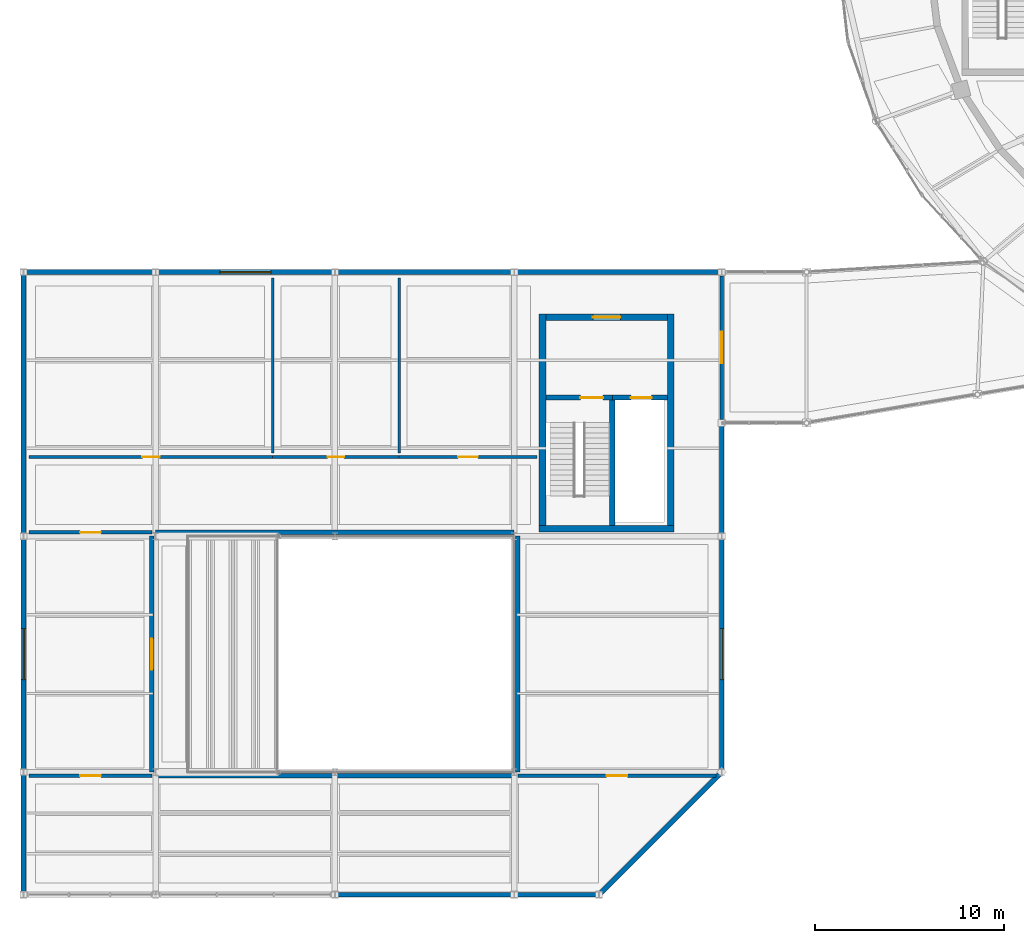
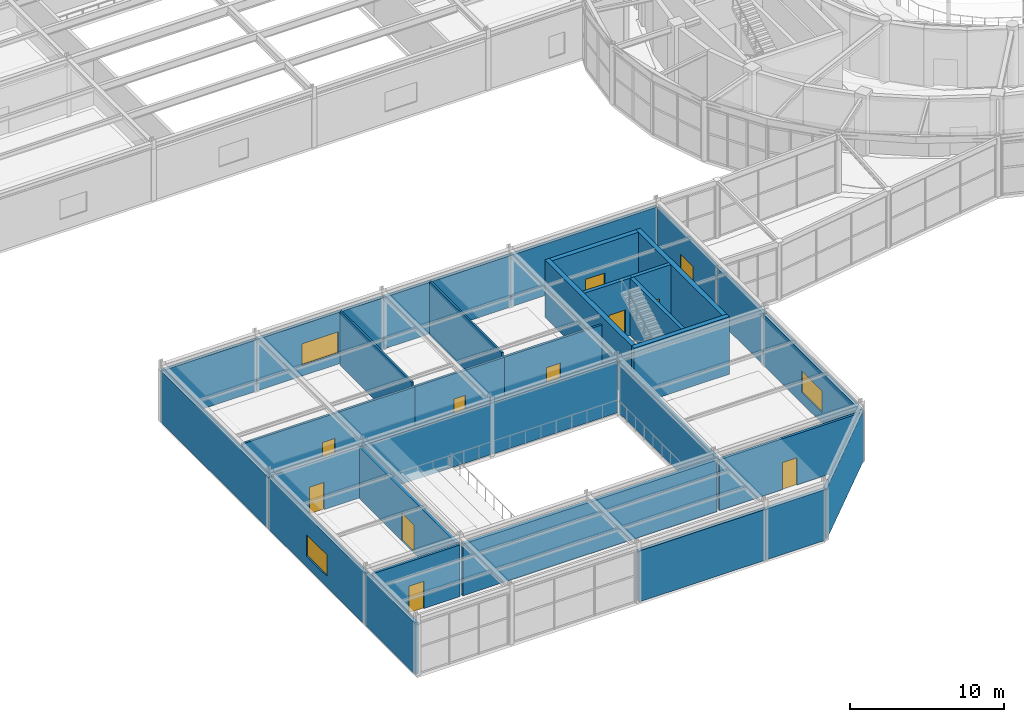
# One storey, part 77 of 100: 32 walls, 11 doors, 3 windows, 14 openings.
"""IFC4 building model written with IfcOpenShell, lengths in metres."""

from ifc_helpers import new_model, si_unit, direction, frame, frame_2d, origin, place, context, subcontext, project, spatial, rectangle, extrude, material, layer, layer_set, type_object, element, fill, save


model = new_model("IFC4")

# Units and contexts
model_context = context("Model", 3, precision=1e-05, world=origin(), true_north=direction((0.0, 1.0)))
body_context = subcontext(model_context, "Body", "Model", "MODEL_VIEW")
ifc_project = project(units=[si_unit("LENGTHUNIT", "METRE"), si_unit("AREAUNIT", "SQUARE_METRE"), si_unit("VOLUMEUNIT", "CUBIC_METRE"), si_unit("PLANEANGLEUNIT", "RADIAN"), si_unit("MASSUNIT", "GRAM", prefix="KILO")], contexts=[model_context])

# Site, building, storey
site_placement = place(None, origin())
site = spatial("IfcSite", under=ifc_project, at=site_placement, CompositionType="ELEMENT")
building_placement = place(site_placement, origin())
building = spatial("IfcBuilding", under=site, at=building_placement, Name="Tarnveldt Headland Concert Hall", CompositionType="ELEMENT")
storey_placement = place(building_placement, frame((0.0, 0.0, 4.800048828125)))
storey = spatial("IfcBuildingStorey", under=building, at=storey_placement, Name="L01", CompositionType="ELEMENT", Elevation=4.800048828125)

# Wall
ifc_material_1 = material(Name="Concrete C40/50", Category="concrete")
ifc_layer_1 = layer(ifc_material_1, 0.35009765625, Name="Concrete C40/50", Category="concrete")
ifc_layer_set_1 = layer_set([ifc_layer_1], Name="Concrete C40/50")
wall_type_1 = type_object("IfcWallType", Name="WL-CR350", PredefinedType="SHEAR", material=ifc_layer_set_1)
wall_1_placement = place(storey_placement, frame((34.824951171875, 24.39990234375, 0.0), z_axis=(0.0, 0.0, 1.0), x_axis=(1.0, 0.0, 0.0)))
element("IfcWall", 1, at=wall_1_placement, inside=storey, type_object=wall_type_1, Name="Core C5 south shear wall L01", PredefinedType="SHEAR", context=body_context, shape_type="SweptSolid", body=[
    extrude(rectangle(XDim=7.150146484375, YDim=0.35009765625, at=frame_2d((3.5751953125, 0.0))), origin(), (0.0, 0.0, 1.0), 4.5400390625),
])

# Wall, opening, door
wall_2_placement = place(storey_placement, frame((35.175048828125, 35.60009765625, 0.0), z_axis=(0.0, 0.0, 1.0), x_axis=(1.0, 0.0, 0.0)))
wall_2 = element("IfcWall", 2, at=wall_2_placement, inside=storey, type_object=wall_type_1, Name="Core C5 north shear wall L01", PredefinedType="SHEAR", context=body_context, shape_type="SweptSolid", body=[
    extrude(rectangle(XDim=6.449951171875, YDim=0.35009765625, at=frame_2d((3.22509765625, 0.0))), origin(), (0.0, 0.0, 1.0), 4.5400390625),
])
opening_1_placement = place(wall_2_placement, frame((2.5, 0.0, 0.0)))
opening_1 = element("IfcOpeningElement", 3, at=opening_1_placement, cuts=wall_2, Name="Opening LBD-C5-L01", PredefinedType="OPENING", context=body_context, shape_type="SweptSolid", body=[
    extrude(rectangle(XDim=1.449951171875, YDim=2.199951171875, at=frame_2d((0.72509765625, 1.10009765625))), frame((0.0, 0.18505859375, 0.0), z_axis=(0.0, -1.0, 0.0), x_axis=(1.0, 0.0, 0.0)), (0.0, 0.0, 1.0), 0.3701171875),
])
ifc_material_2 = material(Name="Galvanised painted steel sheet", Category="steel")
door_type_1 = type_object("IfcDoorType", Name="DR-LB145", OperationType="NOTDEFINED", PredefinedType="DOOR", material=ifc_material_2)
door_1_placement = place(opening_1_placement, origin())
door_1 = element("IfcDoor", 4, at=door_1_placement, inside=storey, type_object=door_type_1, Name="Core C5 lobby entrance door L01", OperationType="SINGLE_SWING_RIGHT", OverallHeight=2.199951171875, OverallWidth=1.449951171875, PredefinedType="DOOR", context=body_context, shape_type="SweptSolid", body=[
    extrude(rectangle(XDim=1.449951171875, YDim=2.199951171875, at=frame_2d((0.72509765625, 1.10009765625))), frame((0.0, 0.02490234375, 0.0), z_axis=(0.0, -1.0, 0.0), x_axis=(1.0, 0.0, 0.0)), (0.0, 0.0, 1.0), 0.050048828125),
])
fill(opening_1, door_1)

# Walls
for number, where, z_axis, x_axis, name in (
    (5, (35.0, 24.574951171875, 0.0), (0.0, 0.0, 1.0), (0.0, 1.0, 0.0), "Core C5 west shear wall L01"),
    (6, (41.800048828125, 24.574951171875, 0.0), (0.0, 0.0, 1.0), (0.0, 1.0, 0.0), "Core C5 east shear wall L01"),
):
    element("IfcWall", number, at=place(storey_placement, frame(where, z_axis=z_axis, x_axis=x_axis)), inside=storey, type_object=wall_type_1, Name=name, PredefinedType="SHEAR", context=body_context, shape_type="SweptSolid", body=[
        extrude(rectangle(XDim=11.199951171875, YDim=0.35009765625, at=frame_2d((5.60009765625, 0.0))), origin(), (0.0, 0.0, 1.0), 4.5400390625),
    ])
ifc_material_3 = material(Name="Coral-toned precast concrete C40/50", Category="concrete")
ifc_layer_2 = layer(ifc_material_3, 0.25, Name="Coral-toned precast concrete C40/50", Category="concrete")
ifc_layer_set_2 = layer_set([ifc_layer_2], Name="Coral-toned precast concrete C40/50")
wall_type_2 = type_object("IfcWallType", Name="WL-EX250", PredefinedType="SOLIDWALL", material=ifc_layer_set_2)
wall_3_placement = place(storey_placement, frame((33.47998046875, 5.0, 0.0), z_axis=(0.0, 0.0, 1.0), x_axis=(-1.0, 0.0, 0.0)))
element("IfcWall", 7, at=wall_3_placement, inside=storey, type_object=wall_type_2, Name="External precast wall L01-214", PredefinedType="SOLIDWALL", context=body_context, shape_type="SweptSolid", body=[
    extrude(rectangle(XDim=9.4599609375, YDim=0.25, at=frame_2d((4.72998046875, 0.0))), origin(), (0.0, 0.0, 1.0), 4.02783203125),
])
wall_4_placement = place(storey_placement, frame((37.97998046875, 5.0, 0.0), z_axis=(0.0, 0.0, 1.0), x_axis=(-1.0, 0.0, 0.0)))
element("IfcWall", 8, at=wall_4_placement, inside=storey, type_object=wall_type_2, Name="External precast wall L01-215", PredefinedType="SOLIDWALL", context=body_context, shape_type="SweptSolid", body=[
    extrude(rectangle(XDim=4.4599609375, YDim=0.25, at=frame_2d((2.22998046875, 0.0))), origin(), (0.0, 0.0, 1.0), 4.02783203125),
])
wall_5_placement = place(storey_placement, frame((44.48583984375, 11.48583984375, 0.0), z_axis=(0.0, 0.0, 1.0), x_axis=(-0.707106781187, -0.707106781187, 0.0)))
element("IfcWall", 9, at=wall_5_placement, inside=storey, type_object=wall_type_2, Name="External precast wall L01-216", PredefinedType="SOLIDWALL", context=body_context, shape_type="SweptSolid", body=[
    extrude(rectangle(XDim=9.15234375, YDim=0.25, at=frame_2d((4.576171875, 0.0))), origin(), (0.0, 0.0, 1.0), 4.02783203125),
])

# Wall, opening, window
wall_6_placement = place(storey_placement, frame((44.5, 23.97998046875, 0.0), z_axis=(0.0, 0.0, 1.0), x_axis=(0.0, -1.0, 0.0)))
wall_6 = element("IfcWall", 10, at=wall_6_placement, inside=storey, type_object=wall_type_2, Name="External precast wall L01-217", PredefinedType="SOLIDWALL", context=body_context, shape_type="SweptSolid", body=[
    extrude(rectangle(XDim=12.4599609375, YDim=0.25, at=frame_2d((6.22998046875, 0.0))), origin(), (0.0, 0.0, 1.0), 4.02783203125),
])
opening_2_placement = place(wall_6_placement, frame((4.8798828125, 0.0, 0.85009765625)))
opening_2 = element("IfcOpeningElement", 11, at=opening_2_placement, cuts=wall_6, Name="Opening W-P100", PredefinedType="OPENING", context=body_context, shape_type="SweptSolid", body=[
    extrude(rectangle(XDim=2.699951171875, YDim=1.699951171875, at=frame_2d((1.35009765625, 0.85009765625))), frame((0.0, 0.135009765625, 0.0), z_axis=(0.0, -1.0, 0.0), x_axis=(1.0, 0.0, 0.0)), (0.0, 0.0, 1.0), 0.27001953125),
])
ifc_material_4 = material(Name="Acoustic laminated low-iron double glazing", Category="glass")
window_type = type_object("IfcWindowType", Name="WN-15", PartitioningType="SINGLE_PANEL", PredefinedType="WINDOW", material=ifc_material_4)
window_1_placement = place(opening_2_placement, origin())
window_1 = element("IfcWindow", 12, at=window_1_placement, inside=storey, type_object=window_type, Name="Chamber pavilion window L01-E2", OverallHeight=1.699951171875, OverallWidth=2.699951171875, PartitioningType="SINGLE_PANEL", PredefinedType="WINDOW", context=body_context, shape_type="SweptSolid", body=[
    extrude(rectangle(XDim=2.699951171875, YDim=1.699951171875, at=frame_2d((1.35009765625, 0.85009765625))), frame((0.0, 0.030029296875, 0.0), z_axis=(0.0, -1.0, 0.0), x_axis=(1.0, 0.0, 0.0)), (0.0, 0.0, 1.0), 0.06005859375),
])
fill(opening_2, window_1)

# Walls
wall_7_placement = place(storey_placement, frame((44.5, 29.97998046875, 0.0), z_axis=(0.0, 0.0, 1.0), x_axis=(0.0, -1.0, 0.0)))
element("IfcWall", 13, at=wall_7_placement, inside=storey, type_object=wall_type_2, Name="External precast wall L01-218", PredefinedType="SOLIDWALL", context=body_context, shape_type="SweptSolid", body=[
    extrude(rectangle(XDim=5.9599609375, YDim=0.25, at=frame_2d((2.97998046875, 0.0))), origin(), (0.0, 0.0, 1.0), 4.077880859375),
])
wall_8_placement = place(storey_placement, frame((33.52001953125, 38.0, 0.0), z_axis=(0.0, 0.0, 1.0), x_axis=(1.0, 0.0, 0.0)))
element("IfcWall", 14, at=wall_8_placement, inside=storey, type_object=wall_type_2, Name="External precast wall L01-219", PredefinedType="SOLIDWALL", context=body_context, shape_type="SweptSolid", body=[
    extrude(rectangle(XDim=10.9599609375, YDim=0.25, at=frame_2d((5.47998046875, 0.0))), origin(), (0.0, 0.0, 1.0), 4.077880859375),
])
wall_9_placement = place(storey_placement, frame((24.02001953125, 38.0, 0.0), z_axis=(0.0, 0.0, 1.0), x_axis=(1.0, 0.0, 0.0)))
element("IfcWall", 15, at=wall_9_placement, inside=storey, type_object=wall_type_2, Name="External precast wall L01-220", PredefinedType="SOLIDWALL", context=body_context, shape_type="SweptSolid", body=[
    extrude(rectangle(XDim=9.4599609375, YDim=0.25, at=frame_2d((4.72998046875, 0.0))), origin(), (0.0, 0.0, 1.0), 4.077880859375),
])

# Wall, opening, window
wall_10_placement = place(storey_placement, frame((14.52001953125, 38.0, 0.0), z_axis=(0.0, 0.0, 1.0), x_axis=(1.0, 0.0, 0.0)))
wall_10 = element("IfcWall", 16, at=wall_10_placement, inside=storey, type_object=wall_type_2, Name="External precast wall L01-221", PredefinedType="SOLIDWALL", context=body_context, shape_type="SweptSolid", body=[
    extrude(rectangle(XDim=9.4599609375, YDim=0.25, at=frame_2d((4.72998046875, 0.0))), origin(), (0.0, 0.0, 1.0), 4.077880859375),
])
opening_3_placement = place(wall_10_placement, frame((3.3798828125, 0.0, 0.85009765625)))
opening_3 = element("IfcOpeningElement", 17, at=opening_3_placement, cuts=wall_10, Name="Opening W-P101", PredefinedType="OPENING", context=body_context, shape_type="SweptSolid", body=[
    extrude(rectangle(XDim=2.699951171875, YDim=1.699951171875, at=frame_2d((1.35009765625, 0.85009765625))), frame((0.0, 0.135009765625, 0.0), z_axis=(0.0, -1.0, 0.0), x_axis=(1.0, 0.0, 0.0)), (0.0, 0.0, 1.0), 0.27001953125),
])
window_2_placement = place(opening_3_placement, origin())
window_2 = element("IfcWindow", 18, at=window_2_placement, inside=storey, type_object=window_type, Name="Chamber pavilion window L01-N3", OverallHeight=1.699951171875, OverallWidth=2.699951171875, PartitioningType="SINGLE_PANEL", PredefinedType="WINDOW", context=body_context, shape_type="SweptSolid", body=[
    extrude(rectangle(XDim=2.699951171875, YDim=1.699951171875, at=frame_2d((1.35009765625, 0.85009765625))), frame((0.0, 0.030029296875, 0.0), z_axis=(0.0, -1.0, 0.0), x_axis=(1.0, 0.0, 0.0)), (0.0, 0.0, 1.0), 0.06005859375),
])
fill(opening_3, window_2)

# Walls
wall_11_placement = place(storey_placement, frame((7.52001953125, 38.0, 0.0), z_axis=(0.0, 0.0, 1.0), x_axis=(1.0, 0.0, 0.0)))
element("IfcWall", 19, at=wall_11_placement, inside=storey, type_object=wall_type_2, Name="External precast wall L01-222", PredefinedType="SOLIDWALL", context=body_context, shape_type="SweptSolid", body=[
    extrude(rectangle(XDim=6.9599609375, YDim=0.25, at=frame_2d((3.47998046875, 0.0))), origin(), (0.0, 0.0, 1.0), 4.077880859375),
])
wall_12_placement = place(storey_placement, frame((7.5, 24.02001953125, 0.0), z_axis=(0.0, 0.0, 1.0), x_axis=(0.0, 1.0, 0.0)))
element("IfcWall", 20, at=wall_12_placement, inside=storey, type_object=wall_type_2, Name="External precast wall L01-223", PredefinedType="SOLIDWALL", context=body_context, shape_type="SweptSolid", body=[
    extrude(rectangle(XDim=13.9599609375, YDim=0.25, at=frame_2d((6.97998046875, 0.0))), origin(), (0.0, 0.0, 1.0), 4.077880859375),
])

# Wall, opening, window
wall_13_placement = place(storey_placement, frame((7.5, 11.52001953125, 0.0), z_axis=(0.0, 0.0, 1.0), x_axis=(0.0, 1.0, 0.0)))
wall_13 = element("IfcWall", 21, at=wall_13_placement, inside=storey, type_object=wall_type_2, Name="External precast wall L01-224", PredefinedType="SOLIDWALL", context=body_context, shape_type="SweptSolid", body=[
    extrude(rectangle(XDim=12.4599609375, YDim=0.25, at=frame_2d((6.22998046875, 0.0))), origin(), (0.0, 0.0, 1.0), 4.077880859375),
])
opening_4_placement = place(wall_13_placement, frame((4.8798828125, 0.0, 0.85009765625)))
opening_4 = element("IfcOpeningElement", 22, at=opening_4_placement, cuts=wall_13, Name="Opening W-P102", PredefinedType="OPENING", context=body_context, shape_type="SweptSolid", body=[
    extrude(rectangle(XDim=2.699951171875, YDim=1.699951171875, at=frame_2d((1.35009765625, 0.85009765625))), frame((0.0, 0.135009765625, 0.0), z_axis=(0.0, -1.0, 0.0), x_axis=(1.0, 0.0, 0.0)), (0.0, 0.0, 1.0), 0.27001953125),
])
window_3_placement = place(opening_4_placement, origin())
window_3 = element("IfcWindow", 23, at=window_3_placement, inside=storey, type_object=window_type, Name="Chamber pavilion window L01-W2", OverallHeight=1.699951171875, OverallWidth=2.699951171875, PartitioningType="SINGLE_PANEL", PredefinedType="WINDOW", context=body_context, shape_type="SweptSolid", body=[
    extrude(rectangle(XDim=2.699951171875, YDim=1.699951171875, at=frame_2d((1.35009765625, 0.85009765625))), frame((0.0, 0.030029296875, 0.0), z_axis=(0.0, -1.0, 0.0), x_axis=(1.0, 0.0, 0.0)), (0.0, 0.0, 1.0), 0.06005859375),
])
fill(opening_4, window_3)

# Walls
wall_14_placement = place(storey_placement, frame((7.5, 5.02001953125, 0.0), z_axis=(0.0, 0.0, 1.0), x_axis=(0.0, 1.0, 0.0)))
element("IfcWall", 24, at=wall_14_placement, inside=storey, type_object=wall_type_2, Name="External precast wall L01-225", PredefinedType="SOLIDWALL", context=body_context, shape_type="SweptSolid", body=[
    extrude(rectangle(XDim=6.4599609375, YDim=0.25, at=frame_2d((3.22998046875, 0.0))), origin(), (0.0, 0.0, 1.0), 4.077880859375),
])
ifc_material_5 = material(Name="Acoustic multi-layer gypsum and mineral-wool partition", Category="gypsum")
ifc_layer_3 = layer(ifc_material_5, 0.135009765625, Name="Acoustic multi-layer gypsum and mineral-wool partition", Category="gypsum")
ifc_layer_set_3 = layer_set([ifc_layer_3], Name="Acoustic multi-layer gypsum and mineral-wool partition")
wall_type_3 = type_object("IfcWallType", Name="WL-PT135", PredefinedType="PARTITIONING", material=ifc_layer_set_3)
for number, where, z_axis, x_axis, name in (
    (25, (20.699951171875, 28.39990234375, 0.0), (0.0, 0.0, 1.0), (0.0, 1.0, 0.0), "Interior acoustic partition L01-32"),
    (26, (27.39990234375, 28.39990234375, 0.0), (0.0, 0.0, 1.0), (0.0, 1.0, 0.0), "Interior acoustic partition L01-33"),
):
    element("IfcWall", number, at=place(storey_placement, frame(where, z_axis=z_axis, x_axis=x_axis)), inside=storey, type_object=wall_type_3, Name=name, PredefinedType="PARTITIONING", context=body_context, shape_type="SweptSolid", body=[
        extrude(rectangle(XDim=9.300048828125, YDim=0.135009765625, at=frame_2d((4.64990234375, 0.0))), origin(), (0.0, 0.0, 1.0), 4.2900390625),
    ])

# Wall, opening, door
ifc_layer_4 = layer(ifc_material_5, 0.1650390625, Name="Acoustic multi-layer gypsum and mineral-wool partition", Category="gypsum")
ifc_layer_set_4 = layer_set([ifc_layer_4], Name="Acoustic multi-layer gypsum and mineral-wool partition")
wall_type_4 = type_object("IfcWallType", Name="WL-PT165", PredefinedType="PARTITIONING", material=ifc_layer_set_4)
wall_15_placement = place(storey_placement, frame((7.800048828125, 28.199951171875, 0.0), z_axis=(0.0, 0.0, 1.0), x_axis=(1.0, 0.0, 0.0)))
wall_15 = element("IfcWall", 27, at=wall_15_placement, inside=storey, type_object=wall_type_4, Name="Interior acoustic partition L01-29", PredefinedType="PARTITIONING", context=body_context, shape_type="SweptSolid", body=[
    extrude(rectangle(XDim=12.89990234375, YDim=0.1650390625, at=frame_2d((6.449951171875, 0.0))), origin(), (0.0, 0.0, 1.0), 4.079833984375),
])
opening_5_placement = place(wall_15_placement, frame((5.989990234375, 0.0, 0.0)))
opening_5 = element("IfcOpeningElement", 28, at=opening_5_placement, cuts=wall_15, Name="Opening D-L01-065", PredefinedType="OPENING", context=body_context, shape_type="SweptSolid", body=[
    extrude(rectangle(XDim=0.919921875, YDim=2.10009765625, at=frame_2d((0.4599609375, 1.050048828125))), frame((0.0, 0.092529296875, 0.0), z_axis=(0.0, -1.0, 0.0), x_axis=(1.0, 0.0, 0.0)), (0.0, 0.0, 1.0), 0.18505859375),
])
ifc_material_6 = material(Name="Treated East African mvule hardwood", Category="wood")
door_type_2 = type_object("IfcDoorType", Name="DR-WC092", OperationType="NOTDEFINED", PredefinedType="DOOR", material=ifc_material_6)
door_2_placement = place(opening_5_placement, origin())
door_2 = element("IfcDoor", 29, at=door_2_placement, inside=storey, type_object=door_type_2, Name="Interior room door L01-65", OperationType="SINGLE_SWING_LEFT", OverallHeight=2.10009765625, OverallWidth=0.919921875, PredefinedType="DOOR", context=body_context, shape_type="SweptSolid", body=[
    extrude(rectangle(XDim=0.919921875, YDim=2.10009765625, at=frame_2d((0.4599609375, 1.050048828125))), frame((0.0, 0.02490234375, 0.0), z_axis=(0.0, -1.0, 0.0), x_axis=(1.0, 0.0, 0.0)), (0.0, 0.0, 1.0), 0.050048828125),
])
fill(opening_5, door_2)

wall_16_placement = place(storey_placement, frame((20.699951171875, 28.199951171875, 0.0), z_axis=(0.0, 0.0, 1.0), x_axis=(1.0, 0.0, 0.0)))
wall_16 = element("IfcWall", 30, at=wall_16_placement, inside=storey, type_object=wall_type_4, Name="Interior acoustic partition L01-30", PredefinedType="PARTITIONING", context=body_context, shape_type="SweptSolid", body=[
    extrude(rectangle(XDim=6.699951171875, YDim=0.1650390625, at=frame_2d((3.35009765625, 0.0))), origin(), (0.0, 0.0, 1.0), 4.079833984375),
])
opening_6_placement = place(wall_16_placement, frame((2.909912109375, 0.0, 0.0)))
opening_6 = element("IfcOpeningElement", 31, at=opening_6_placement, cuts=wall_16, Name="Opening D-L01-066", PredefinedType="OPENING", context=body_context, shape_type="SweptSolid", body=[
    extrude(rectangle(XDim=0.8798828125, YDim=2.10009765625, at=frame_2d((0.43994140625, 1.050048828125))), frame((0.0, 0.092529296875, 0.0), z_axis=(0.0, -1.0, 0.0), x_axis=(1.0, 0.0, 0.0)), (0.0, 0.0, 1.0), 0.18505859375),
])
door_type_3 = type_object("IfcDoorType", Name="DR-WC088", OperationType="NOTDEFINED", PredefinedType="DOOR", material=ifc_material_6)
door_3_placement = place(opening_6_placement, origin())
door_3 = element("IfcDoor", 32, at=door_3_placement, inside=storey, type_object=door_type_3, Name="Interior room door L01-66", OperationType="SINGLE_SWING_RIGHT", OverallHeight=2.10009765625, OverallWidth=0.8798828125, PredefinedType="DOOR", context=body_context, shape_type="SweptSolid", body=[
    extrude(rectangle(XDim=0.8798828125, YDim=2.10009765625, at=frame_2d((0.43994140625, 1.050048828125))), frame((0.0, 0.02490234375, 0.0), z_axis=(0.0, -1.0, 0.0), x_axis=(1.0, 0.0, 0.0)), (0.0, 0.0, 1.0), 0.050048828125),
])
fill(opening_6, door_3)

wall_17_placement = place(storey_placement, frame((27.39990234375, 28.199951171875, 0.0), z_axis=(0.0, 0.0, 1.0), x_axis=(1.0, 0.0, 0.0)))
wall_17 = element("IfcWall", 33, at=wall_17_placement, inside=storey, type_object=wall_type_4, Name="Interior acoustic partition L01-31", PredefinedType="PARTITIONING", context=body_context, shape_type="SweptSolid", body=[
    extrude(rectangle(XDim=7.300048828125, YDim=0.1650390625, at=frame_2d((3.64990234375, 0.0))), origin(), (0.0, 0.0, 1.0), 4.079833984375),
])
opening_7_placement = place(wall_17_placement, frame((3.125, 0.0, 0.0)))
opening_7 = element("IfcOpeningElement", 34, at=opening_7_placement, cuts=wall_17, Name="Opening D-L01-067", PredefinedType="OPENING", context=body_context, shape_type="SweptSolid", body=[
    extrude(rectangle(XDim=1.050048828125, YDim=2.14990234375, at=frame_2d((0.52490234375, 1.074951171875))), frame((0.0, 0.092529296875, 0.0), z_axis=(0.0, -1.0, 0.0), x_axis=(1.0, 0.0, 0.0)), (0.0, 0.0, 1.0), 0.18505859375),
])
door_type_4 = type_object("IfcDoorType", Name="DR-RM105", OperationType="NOTDEFINED", PredefinedType="DOOR", material=ifc_material_6)
door_4_placement = place(opening_7_placement, origin())
door_4 = element("IfcDoor", 35, at=door_4_placement, inside=storey, type_object=door_type_4, Name="Interior room door L01-67", OperationType="SINGLE_SWING_LEFT", OverallHeight=2.14990234375, OverallWidth=1.050048828125, PredefinedType="DOOR", context=body_context, shape_type="SweptSolid", body=[
    extrude(rectangle(XDim=1.050048828125, YDim=2.14990234375, at=frame_2d((0.52490234375, 1.074951171875))), frame((0.0, 0.02490234375, 0.0), z_axis=(0.0, -1.0, 0.0), x_axis=(1.0, 0.0, 0.0)), (0.0, 0.0, 1.0), 0.050048828125),
])
fill(opening_7, door_4)

ifc_layer_5 = layer(ifc_material_5, 0.18505859375, Name="Acoustic multi-layer gypsum and mineral-wool partition", Category="gypsum")
ifc_layer_set_5 = layer_set([ifc_layer_5], Name="Acoustic multi-layer gypsum and mineral-wool partition")
wall_type_5 = type_object("IfcWallType", Name="WL-PT185", PredefinedType="PARTITIONING", material=ifc_layer_set_5)
wall_18_placement = place(storey_placement, frame((7.800048828125, 11.300048828125, 0.0), z_axis=(0.0, 0.0, 1.0), x_axis=(1.0, 0.0, 0.0)))
wall_18 = element("IfcWall", 36, at=wall_18_placement, inside=storey, type_object=wall_type_5, Name="Interior acoustic partition L01-22", PredefinedType="PARTITIONING", context=body_context, shape_type="SweptSolid", body=[
    extrude(rectangle(XDim=6.5, YDim=0.18505859375, at=frame_2d((3.25, 0.0))), origin(), (0.0, 0.0, 1.0), 4.079833984375),
])
opening_8_placement = place(wall_18_placement, frame((2.699951171875, 0.0, 0.0)))
opening_8 = element("IfcOpeningElement", 37, at=opening_8_placement, cuts=wall_18, Name="Opening D-L01-061", PredefinedType="OPENING", context=body_context, shape_type="SweptSolid", body=[
    extrude(rectangle(XDim=1.10009765625, YDim=2.14990234375, at=frame_2d((0.550048828125, 1.074951171875))), frame((0.0, 0.1025390625, 0.0), z_axis=(0.0, -1.0, 0.0), x_axis=(1.0, 0.0, 0.0)), (0.0, 0.0, 1.0), 0.205078125),
])
door_type_5 = type_object("IfcDoorType", Name="DR-RM110", OperationType="NOTDEFINED", PredefinedType="DOOR", material=ifc_material_6)
door_5_placement = place(opening_8_placement, origin())
door_5 = element("IfcDoor", 38, at=door_5_placement, inside=storey, type_object=door_type_5, Name="Interior room door L01-61", OperationType="SINGLE_SWING_LEFT", OverallHeight=2.14990234375, OverallWidth=1.10009765625, PredefinedType="DOOR", context=body_context, shape_type="SweptSolid", body=[
    extrude(rectangle(XDim=1.10009765625, YDim=2.14990234375, at=frame_2d((0.550048828125, 1.074951171875))), frame((0.0, 0.02490234375, 0.0), z_axis=(0.0, -1.0, 0.0), x_axis=(1.0, 0.0, 0.0)), (0.0, 0.0, 1.0), 0.050048828125),
])
fill(opening_8, door_5)

wall_19_placement = place(storey_placement, frame((33.699951171875, 11.300048828125, 0.0), z_axis=(0.0, 0.0, 1.0), x_axis=(1.0, 0.0, 0.0)))
wall_19 = element("IfcWall", 39, at=wall_19_placement, inside=storey, type_object=wall_type_5, Name="Interior acoustic partition L01-24", PredefinedType="PARTITIONING", context=body_context, shape_type="SweptSolid", body=[
    extrude(rectangle(XDim=10.5, YDim=0.18505859375, at=frame_2d((5.25, 0.0))), origin(), (0.0, 0.0, 1.0), 4.030029296875),
])
opening_9_placement = place(wall_19_placement, frame((4.699951171875, 0.0, 0.0)))
opening_9 = element("IfcOpeningElement", 40, at=opening_9_placement, cuts=wall_19, Name="Opening D-L01-062", PredefinedType="OPENING", context=body_context, shape_type="SweptSolid", body=[
    extrude(rectangle(XDim=1.10009765625, YDim=2.14990234375, at=frame_2d((0.550048828125, 1.074951171875))), frame((0.0, 0.1025390625, 0.0), z_axis=(0.0, -1.0, 0.0), x_axis=(1.0, 0.0, 0.0)), (0.0, 0.0, 1.0), 0.205078125),
])
door_6_placement = place(opening_9_placement, origin())
door_6 = element("IfcDoor", 41, at=door_6_placement, inside=storey, type_object=door_type_5, Name="Interior room door L01-62", OperationType="SINGLE_SWING_RIGHT", OverallHeight=2.14990234375, OverallWidth=1.10009765625, PredefinedType="DOOR", context=body_context, shape_type="SweptSolid", body=[
    extrude(rectangle(XDim=1.10009765625, YDim=2.14990234375, at=frame_2d((0.550048828125, 1.074951171875))), frame((0.0, 0.02490234375, 0.0), z_axis=(0.0, -1.0, 0.0), x_axis=(1.0, 0.0, 0.0)), (0.0, 0.0, 1.0), 0.050048828125),
])
fill(opening_9, door_6)

wall_20_placement = place(storey_placement, frame((7.800048828125, 24.199951171875, 0.0), z_axis=(0.0, 0.0, 1.0), x_axis=(1.0, 0.0, 0.0)))
wall_20 = element("IfcWall", 42, at=wall_20_placement, inside=storey, type_object=wall_type_5, Name="Interior acoustic partition L01-27", PredefinedType="PARTITIONING", context=body_context, shape_type="SweptSolid", body=[
    extrude(rectangle(XDim=6.5, YDim=0.18505859375, at=frame_2d((3.25, 0.0))), origin(), (0.0, 0.0, 1.0), 4.079833984375),
])
opening_10_placement = place(wall_20_placement, frame((2.699951171875, 0.0, 0.0)))
opening_10 = element("IfcOpeningElement", 43, at=opening_10_placement, cuts=wall_20, Name="Opening D-L01-064", PredefinedType="OPENING", context=body_context, shape_type="SweptSolid", body=[
    extrude(rectangle(XDim=1.10009765625, YDim=2.14990234375, at=frame_2d((0.550048828125, 1.074951171875))), frame((0.0, 0.1025390625, 0.0), z_axis=(0.0, -1.0, 0.0), x_axis=(1.0, 0.0, 0.0)), (0.0, 0.0, 1.0), 0.205078125),
])
door_7_placement = place(opening_10_placement, origin())
door_7 = element("IfcDoor", 44, at=door_7_placement, inside=storey, type_object=door_type_5, Name="Interior room door L01-64", OperationType="SINGLE_SWING_RIGHT", OverallHeight=2.14990234375, OverallWidth=1.10009765625, PredefinedType="DOOR", context=body_context, shape_type="SweptSolid", body=[
    extrude(rectangle(XDim=1.10009765625, YDim=2.14990234375, at=frame_2d((0.550048828125, 1.074951171875))), frame((0.0, 0.02490234375, 0.0), z_axis=(0.0, -1.0, 0.0), x_axis=(1.0, 0.0, 0.0)), (0.0, 0.0, 1.0), 0.050048828125),
])
fill(opening_10, door_7)

wall_21_placement = place(storey_placement, frame((44.5, 30.199951171875, 0.0), z_axis=(0.0, 0.0, 1.0), x_axis=(0.0, 1.0, 0.0)))
wall_21 = element("IfcWall", 45, at=wall_21_placement, inside=storey, type_object=wall_type_5, Name="Interior acoustic partition L01-34", PredefinedType="PARTITIONING", context=body_context, shape_type="SweptSolid", body=[
    extrude(rectangle(XDim=7.60009765625, YDim=0.18505859375, at=frame_2d((3.800048828125, 0.0))), origin(), (0.0, 0.0, 1.0), 4.079833984375),
])
opening_11_placement = place(wall_21_placement, frame((2.97509765625, 0.0, 0.0)))
opening_11 = element("IfcOpeningElement", 46, at=opening_11_placement, cuts=wall_21, Name="Opening D-L01-068", PredefinedType="OPENING", context=body_context, shape_type="SweptSolid", body=[
    extrude(rectangle(XDim=1.64990234375, YDim=2.199951171875, at=frame_2d((0.824951171875, 1.10009765625))), frame((0.0, 0.1025390625, 0.0), z_axis=(0.0, -1.0, 0.0), x_axis=(1.0, 0.0, 0.0)), (0.0, 0.0, 1.0), 0.205078125),
])
door_type_6 = type_object("IfcDoorType", Name="DR-AC165", OperationType="NOTDEFINED", PredefinedType="DOOR", material=ifc_material_6)
door_8_placement = place(opening_11_placement, origin())
door_8 = element("IfcDoor", 47, at=door_8_placement, inside=storey, type_object=door_type_6, Name="Interior room door L01-68", OperationType="SINGLE_SWING_RIGHT", OverallHeight=2.199951171875, OverallWidth=1.64990234375, PredefinedType="DOOR", context=body_context, shape_type="SweptSolid", body=[
    extrude(rectangle(XDim=1.64990234375, YDim=2.199951171875, at=frame_2d((0.824951171875, 1.10009765625))), frame((0.0, 0.02490234375, 0.0), z_axis=(0.0, -1.0, 0.0), x_axis=(1.0, 0.0, 0.0)), (0.0, 0.0, 1.0), 0.050048828125),
])
fill(opening_11, door_8)

# Wall
ifc_layer_6 = layer(ifc_material_5, 0.239990234375, Name="Acoustic multi-layer gypsum and mineral-wool partition", Category="gypsum")
ifc_layer_set_6 = layer_set([ifc_layer_6], Name="Acoustic multi-layer gypsum and mineral-wool partition")
wall_type_6 = type_object("IfcWallType", Name="WL-PT240", PredefinedType="PARTITIONING", material=ifc_layer_set_6)
wall_22_placement = place(storey_placement, frame((14.5, 11.300048828125, 0.0), z_axis=(0.0, 0.0, 1.0), x_axis=(1.0, 0.0, 0.0)))
element("IfcWall", 48, at=wall_22_placement, inside=storey, type_object=wall_type_6, Name="Interior acoustic partition L01-23", PredefinedType="PARTITIONING", context=body_context, shape_type="SweptSolid", body=[
    extrude(rectangle(XDim=19.0, YDim=0.239990234375, at=frame_2d((9.5, 0.0))), origin(), (0.0, 0.0, 1.0), 4.079833984375),
])

# Wall, opening, door
wall_23_placement = place(storey_placement, frame((14.300048828125, 11.5, 0.0), z_axis=(0.0, 0.0, 1.0), x_axis=(0.0, 1.0, 0.0)))
wall_23 = element("IfcWall", 49, at=wall_23_placement, inside=storey, type_object=wall_type_6, Name="Interior acoustic partition L01-25", PredefinedType="PARTITIONING", context=body_context, shape_type="SweptSolid", body=[
    extrude(rectangle(XDim=12.5, YDim=0.239990234375, at=frame_2d((6.25, 0.0))), origin(), (0.0, 0.0, 1.0), 4.079833984375),
])
opening_12_placement = place(wall_23_placement, frame((5.425048828125, 0.0, 0.0)))
opening_12 = element("IfcOpeningElement", 50, at=opening_12_placement, cuts=wall_23, Name="Opening D-L01-063", PredefinedType="OPENING", context=body_context, shape_type="SweptSolid", body=[
    extrude(rectangle(XDim=1.64990234375, YDim=2.199951171875, at=frame_2d((0.824951171875, 1.10009765625))), frame((0.0, 0.1298828125, 0.0), z_axis=(0.0, -1.0, 0.0), x_axis=(1.0, 0.0, 0.0)), (0.0, 0.0, 1.0), 0.260009765625),
])
door_9_placement = place(opening_12_placement, origin())
door_9 = element("IfcDoor", 51, at=door_9_placement, inside=storey, type_object=door_type_6, Name="Interior room door L01-63", OperationType="SINGLE_SWING_LEFT", OverallHeight=2.199951171875, OverallWidth=1.64990234375, PredefinedType="DOOR", context=body_context, shape_type="SweptSolid", body=[
    extrude(rectangle(XDim=1.64990234375, YDim=2.199951171875, at=frame_2d((0.824951171875, 1.10009765625))), frame((0.0, 0.02490234375, 0.0), z_axis=(0.0, -1.0, 0.0), x_axis=(1.0, 0.0, 0.0)), (0.0, 0.0, 1.0), 0.050048828125),
])
fill(opening_12, door_9)

# Walls
wall_24_placement = place(storey_placement, frame((33.699951171875, 11.5, 0.0), z_axis=(0.0, 0.0, 1.0), x_axis=(0.0, 1.0, 0.0)))
element("IfcWall", 52, at=wall_24_placement, inside=storey, type_object=wall_type_6, Name="Interior acoustic partition L01-26", PredefinedType="PARTITIONING", context=body_context, shape_type="SweptSolid", body=[
    extrude(rectangle(XDim=12.5, YDim=0.239990234375, at=frame_2d((6.25, 0.0))), origin(), (0.0, 0.0, 1.0), 4.079833984375),
])
wall_25_placement = place(storey_placement, frame((14.5, 24.199951171875, 0.0), z_axis=(0.0, 0.0, 1.0), x_axis=(1.0, 0.0, 0.0)))
element("IfcWall", 53, at=wall_25_placement, inside=storey, type_object=wall_type_6, Name="Interior acoustic partition L01-28", PredefinedType="PARTITIONING", context=body_context, shape_type="SweptSolid", body=[
    extrude(rectangle(XDim=19.0, YDim=0.239990234375, at=frame_2d((9.5, 0.0))), origin(), (0.0, 0.0, 1.0), 4.079833984375),
])
ifc_layer_7 = layer(ifc_material_1, 0.27490234375, Name="Concrete C40/50", Category="concrete")
ifc_layer_set_7 = layer_set([ifc_layer_7], Name="Concrete C40/50")
wall_type_7 = type_object("IfcWallType", Name="WL-SH275", PredefinedType="SHEAR", material=ifc_layer_set_7)
wall_26_placement = place(storey_placement, frame((38.699951171875, 24.574951171875, 0.0), z_axis=(0.0, 0.0, 1.0), x_axis=(0.0, 1.0, 0.0)))
element("IfcWall", 54, at=wall_26_placement, inside=storey, type_object=wall_type_7, Name="Core C5 shaft divider wall L01", PredefinedType="SHEAR", context=body_context, shape_type="SweptSolid", body=[
    extrude(rectangle(XDim=6.637451171875, YDim=0.27490234375, at=frame_2d((3.31884765625, 0.0))), origin(), (0.0, 0.0, 1.0), 4.5400390625),
])

# Wall, opening, door
wall_27_placement = place(storey_placement, frame((35.175048828125, 31.35009765625, 0.0), z_axis=(0.0, 0.0, 1.0), x_axis=(1.0, 0.0, 0.0)))
wall_27 = element("IfcWall", 55, at=wall_27_placement, inside=storey, type_object=wall_type_7, Name="Core C5 stair enclosure wall L01", PredefinedType="SHEAR", context=body_context, shape_type="SweptSolid", body=[
    extrude(rectangle(XDim=3.52490234375, YDim=0.27490234375, at=frame_2d((1.762451171875, 0.0))), origin(), (0.0, 0.0, 1.0), 4.5400390625),
])
opening_13_placement = place(wall_27_placement, frame((1.8349609375, 0.0, 0.0)))
opening_13 = element("IfcOpeningElement", 56, at=opening_13_placement, cuts=wall_27, Name="Opening SD-C5-L01", PredefinedType="OPENING", context=body_context, shape_type="SweptSolid", body=[
    extrude(rectangle(XDim=1.199951171875, YDim=2.14990234375, at=frame_2d((0.60009765625, 1.074951171875))), frame((0.0, 0.1474609375, 0.0), z_axis=(0.0, -1.0, 0.0), x_axis=(1.0, 0.0, 0.0)), (0.0, 0.0, 1.0), 0.294921875),
])
door_type_7 = type_object("IfcDoorType", Name="DR-ST120", OperationType="NOTDEFINED", PredefinedType="DOOR", material=ifc_material_2)
door_10_placement = place(opening_13_placement, origin())
door_10 = element("IfcDoor", 57, at=door_10_placement, inside=storey, type_object=door_type_7, Name="Core C5 stair fire door L01", OperationType="SINGLE_SWING_RIGHT", OverallHeight=2.14990234375, OverallWidth=1.199951171875, PredefinedType="DOOR", context=body_context, shape_type="SweptSolid", body=[
    extrude(rectangle(XDim=1.199951171875, YDim=2.14990234375, at=frame_2d((0.60009765625, 1.074951171875))), frame((0.0, 0.02490234375, 0.0), z_axis=(0.0, -1.0, 0.0), x_axis=(1.0, 0.0, 0.0)), (0.0, 0.0, 1.0), 0.050048828125),
])
fill(opening_13, door_10)

wall_28_placement = place(storey_placement, frame((38.699951171875, 31.35009765625, 0.0), z_axis=(0.0, 0.0, 1.0), x_axis=(1.0, 0.0, 0.0)))
wall_28 = element("IfcWall", 58, at=wall_28_placement, inside=storey, type_object=wall_type_7, Name="Core C5 lift shaft front wall L01", PredefinedType="SHEAR", context=body_context, shape_type="SweptSolid", body=[
    extrude(rectangle(XDim=2.925048828125, YDim=0.27490234375, at=frame_2d((1.46240234375, 0.0))), origin(), (0.0, 0.0, 1.0), 4.5400390625),
])
opening_14_placement = place(wall_28_placement, frame((0.982421875, 0.0, 0.0)))
opening_14 = element("IfcOpeningElement", 59, at=opening_14_placement, cuts=wall_28, Name="Opening LD-LP-05-L01", PredefinedType="OPENING", context=body_context, shape_type="SweptSolid", body=[
    extrude(rectangle(XDim=1.10009765625, YDim=2.14990234375, at=frame_2d((0.550048828125, 1.074951171875))), frame((0.0, 0.1474609375, 0.0), z_axis=(0.0, -1.0, 0.0), x_axis=(1.0, 0.0, 0.0)), (0.0, 0.0, 1.0), 0.294921875),
])
door_type_8 = type_object("IfcDoorType", Name="LD-110", OperationType="NOTDEFINED", PredefinedType="DOOR", material=ifc_material_2)
door_11_placement = place(opening_14_placement, origin())
door_11 = element("IfcDoor", 60, at=door_11_placement, inside=storey, type_object=door_type_8, Name="Lift LP-05 sliding landing door L01", OperationType="DOUBLE_DOOR_SLIDING", OverallHeight=2.14990234375, OverallWidth=1.10009765625, PredefinedType="DOOR", context=body_context, shape_type="SweptSolid", body=[
    extrude(rectangle(XDim=1.10009765625, YDim=2.14990234375, at=frame_2d((0.550048828125, 1.074951171875))), frame((0.0, 0.02490234375, 0.0), z_axis=(0.0, -1.0, 0.0), x_axis=(1.0, 0.0, 0.0)), (0.0, 0.0, 1.0), 0.050048828125),
])
fill(opening_14, door_11)

save(model, "model.ifc")
